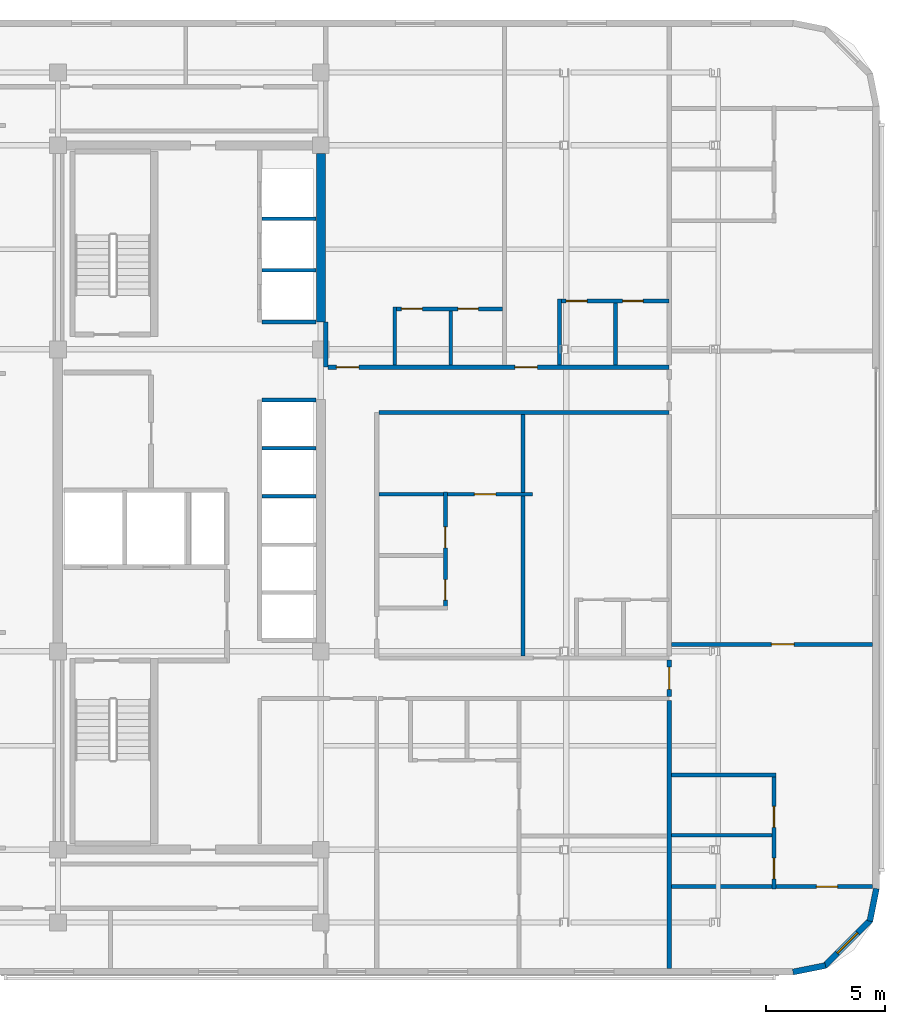
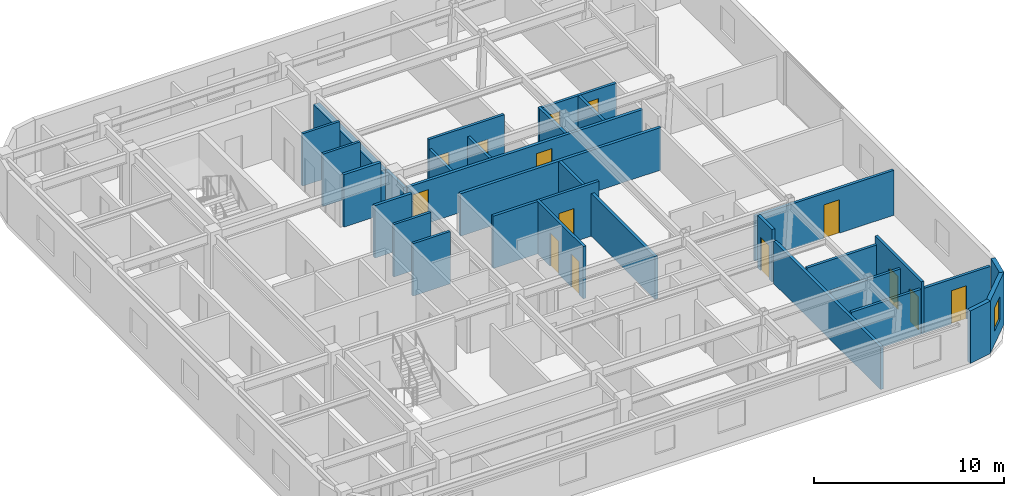
# One storey, part 6 of 11: 29 walls, 14 doors, 1 window, 15 openings.
"""IFC4 building model written with IfcOpenShell, lengths in metres."""

from ifc_helpers import new_model, si_unit, direction, frame, frame_2d, origin, place, context, subcontext, project, spatial, rectangle, extrude, material, layer, layer_set, type_object, element, fill, save


model = new_model("IFC4")

# Units and contexts
model_context = context("Model", 3, precision=1e-05, world=origin(), true_north=direction((0.0, 1.0)))
body_context = subcontext(model_context, "Body", "Model", "MODEL_VIEW")
ifc_project = project(units=[si_unit("LENGTHUNIT", "METRE"), si_unit("AREAUNIT", "SQUARE_METRE"), si_unit("VOLUMEUNIT", "CUBIC_METRE"), si_unit("PLANEANGLEUNIT", "RADIAN"), si_unit("MASSUNIT", "GRAM", prefix="KILO")], contexts=[model_context])

# Site, building, storey
site_placement = place(None, origin())
site = spatial("IfcSite", under=ifc_project, at=site_placement, CompositionType="ELEMENT")
building_placement = place(site_placement, origin())
building = spatial("IfcBuilding", under=site, at=building_placement, Name="Ochreholt Gables", CompositionType="ELEMENT")
storey_placement = place(building_placement, frame((0.0, 0.0, 155.39990234375)))
storey = spatial("IfcBuildingStorey", under=building, at=storey_placement, Name="L40", CompositionType="ELEMENT", Elevation=155.39990234375)

# Walls
ifc_material_1 = material(Name="Concrete 50 MPa", Category="concrete")
ifc_layer_1 = layer(ifc_material_1, 0.3798828125, Name="Concrete 50 MPa")
ifc_layer_set_1 = layer_set([ifc_layer_1], Name="Concrete 50 MPa")
wall_type_1 = type_object("IfcWallType", Name="WALL-CSW-380", PredefinedType="SHEAR", material=ifc_layer_set_1)
wall_1_placement = place(storey_placement, frame((35.2099609375, 31.35009765625, 0.0), z_axis=(0.0, 0.0, 1.0), x_axis=(0.0, 1.0, 0.0)))
element("IfcWall", 1, at=wall_1_placement, inside=storey, type_object=wall_type_1, Name="L40 Core North-East Shear Wall", PredefinedType="SHEAR", context=body_context, shape_type="SweptSolid", body=[
    extrude(rectangle(XDim=7.0498046875, YDim=0.3798828125, at=frame_2d((3.52490234375, 0.0))), origin(), (0.0, 0.0, 1.0), 2.748046875),
])
ifc_material_2 = material(Name="Precast concrete 40 MPa", Category="concrete")
ifc_layer_2 = layer(ifc_material_2, 0.25, Name="Precast concrete 40 MPa")
ifc_layer_set_2 = layer_set([ifc_layer_2], Name="Precast concrete 40 MPa")
wall_type_2 = type_object("IfcWallType", Name="WALL-EXT-CNR", PredefinedType="SOLIDWALL", material=ifc_layer_set_2)
wall_2_placement = place(storey_placement, frame((54.9833984375, 4.124267578125, 0.0), z_axis=(0.0, 0.0, 1.0), x_axis=(0.980809899341, 0.19496651342, 0.0)))
element("IfcWall", 2, at=wall_2_placement, inside=storey, type_object=wall_type_2, Name="L40 Rounded Corner Wall SE-1", PredefinedType="SOLIDWALL", context=body_context, shape_type="SweptSolid", body=[
    extrude(rectangle(XDim=1.388671875, YDim=0.25, at=frame_2d((0.6943359375, 0.0))), origin(), (0.0, 0.0, 1.0), 3.360107421875),
])

# Wall, opening, window
wall_3_placement = place(storey_placement, frame((56.294921875, 4.367919921875, 0.0), z_axis=(0.0, 0.0, 1.0), x_axis=(0.707106781187, 0.707106781187, 0.0)))
wall_3 = element("IfcWall", 3, at=wall_3_placement, inside=storey, type_object=wall_type_2, Name="L40 Rounded Corner Wall SE-2", PredefinedType="SOLIDWALL", context=body_context, shape_type="SweptSolid", body=[
    extrude(rectangle(XDim=2.7392578125, YDim=0.25, at=frame_2d((1.36962890625, 0.0))), origin(), (0.0, 0.0, 1.0), 3.360107421875),
])
opening_1_placement = place(wall_3_placement, frame((0.769775390625, 0.0, 0.85009765625)))
opening_1 = element("IfcOpeningElement", 4, at=opening_1_placement, cuts=wall_3, Name="Opening WN-3", PredefinedType="OPENING", context=body_context, shape_type="SweptSolid", body=[
    extrude(rectangle(XDim=1.199951171875, YDim=1.5, at=frame_2d((0.60009765625, 0.75))), frame((0.0, 0.135009765625, 0.0), z_axis=(0.0, -1.0, 0.0), x_axis=(1.0, 0.0, 0.0)), (0.0, 0.0, 1.0), 0.27001953125),
])
ifc_material_3 = material(Name="Triple-Glazed Thermally Broken Aluminium Window", Category="aluminium")
window_type = type_object("IfcWindowType", Name="WIN-RES-1200", PartitioningType="SINGLE_PANEL", PredefinedType="WINDOW", material=ifc_material_3)
window_placement = place(opening_1_placement, origin())
window = element("IfcWindow", 5, at=window_placement, inside=storey, type_object=window_type, Name="L40 Corner Bedroom Window SE", OverallHeight=1.5, OverallWidth=1.199951171875, PartitioningType="SINGLE_PANEL", PredefinedType="WINDOW", context=body_context, shape_type="SweptSolid", body=[
    extrude(rectangle(XDim=1.199951171875, YDim=1.5, at=frame_2d((0.60009765625, 0.75))), frame((0.0, 0.030029296875, 0.0), z_axis=(0.0, -1.0, 0.0), x_axis=(1.0, 0.0, 0.0)), (0.0, 0.0, 1.0), 0.06005859375),
])
fill(opening_1, window)

# Walls
wall_4_placement = place(storey_placement, frame((58.205078125, 6.25439453125, 0.0), z_axis=(0.0, 0.0, 1.0), x_axis=(0.19496651342, 0.980809899341, 0.0)))
element("IfcWall", 6, at=wall_4_placement, inside=storey, type_object=wall_type_2, Name="L40 Rounded Corner Wall SE-3", PredefinedType="SOLIDWALL", context=body_context, shape_type="SweptSolid", body=[
    extrude(rectangle(XDim=1.388671875, YDim=0.25, at=frame_2d((0.6943359375, 0.0))), origin(), (0.0, 0.0, 1.0), 3.360107421875),
])
ifc_material_4 = material(Name="Fire-Rated Gypsum Acoustic Partition", Category="gypsum")
ifc_layer_3 = layer(ifc_material_4, 0.179931640625, Name="Fire-Rated Gypsum Acoustic Partition")
ifc_layer_set_3 = layer_set([ifc_layer_3], Name="Fire-Rated Gypsum Acoustic Partition")
wall_type_3 = type_object("IfcWallType", Name="WALL-INT-CR180", PredefinedType="STANDARD", material=ifc_layer_set_3)
wall_5_placement = place(storey_placement, frame((37.639892578125, 27.56005859375, 0.0), z_axis=(0.0, 0.0, 1.0), x_axis=(1.0, 0.0, 0.0)))
element("IfcWall", 7, at=wall_5_placement, inside=storey, type_object=wall_type_3, Name="L40 Interior Wall WI-C2SN1-L40", PredefinedType="STANDARD", context=body_context, shape_type="SweptSolid", body=[
    extrude(rectangle(XDim=12.16015625, YDim=0.179931640625, at=frame_2d((6.080078125, 0.0))), origin(), (0.0, 0.0, 1.0), 2.72998046875),
])
wall_6_placement = place(storey_placement, frame((35.419921875, 29.4599609375, 0.0), z_axis=(0.0, 0.0, 1.0), x_axis=(0.0, 1.0, 0.0)))
element("IfcWall", 8, at=wall_6_placement, inside=storey, type_object=wall_type_3, Name="L40 Interior Wall WI-C2NCL-L40", PredefinedType="STANDARD", context=body_context, shape_type="SweptSolid", body=[
    extrude(rectangle(XDim=1.89013671875, YDim=0.179931640625, at=frame_2d((0.945068359375, 0.0))), origin(), (0.0, 0.0, 1.0), 2.72998046875),
])

# Wall, openings, doors
wall_7_placement = place(storey_placement, frame((35.510009765625, 29.4599609375, 0.0), z_axis=(0.0, 0.0, 1.0), x_axis=(1.0, 0.0, 0.0)))
wall_7 = element("IfcWall", 9, at=wall_7_placement, inside=storey, type_object=wall_type_3, Name="L40 Interior Wall WI-C2SN2-L40", PredefinedType="STANDARD", context=body_context, shape_type="SweptSolid", body=[
    extrude(rectangle(XDim=14.2900390625, YDim=0.179931640625, at=frame_2d((7.14501953125, 0.0))), origin(), (0.0, 0.0, 1.0), 2.72998046875),
])
opening_2_placement = place(wall_7_placement, frame((0.35009765625, 0.0, 0.0)))
opening_2 = element("IfcOpeningElement", 10, at=opening_2_placement, cuts=wall_7, Name="Opening D-UN2", PredefinedType="OPENING", context=body_context, shape_type="SweptSolid", body=[
    extrude(rectangle(XDim=0.93994140625, YDim=2.14990234375, at=frame_2d((0.469970703125, 1.074951171875))), frame((0.0, 0.099853515625, 0.0), z_axis=(0.0, -1.0, 0.0), x_axis=(1.0, 0.0, 0.0)), (0.0, 0.0, 1.0), 0.199951171875),
])
opening_3_placement = place(wall_7_placement, frame((7.82763671875, 0.0, 0.0)))
opening_3 = element("IfcOpeningElement", 11, at=opening_3_placement, cuts=wall_7, Name="Opening D-UN2", PredefinedType="OPENING", context=body_context, shape_type="SweptSolid", body=[
    extrude(rectangle(XDim=0.93994140625, YDim=2.14990234375, at=frame_2d((0.469970703125, 1.074951171875))), frame((0.0, 0.099853515625, 0.0), z_axis=(0.0, -1.0, 0.0), x_axis=(1.0, 0.0, 0.0)), (0.0, 0.0, 1.0), 0.199951171875),
])
ifc_material_5 = material(Name="Engineered Oak Timber", Category="wood")
door_type_1 = type_object("IfcDoorType", Name="DR-INT-UNT940", OperationType="NOTDEFINED", PredefinedType="DOOR", material=ifc_material_5)
door_1_placement = place(opening_2_placement, origin())
door_1 = element("IfcDoor", 12, at=door_1_placement, inside=storey, type_object=door_type_1, Name="L40 Door D-U-L40N1-ENT", OperationType="SINGLE_SWING_LEFT", OverallHeight=2.14990234375, OverallWidth=0.93994140625, PredefinedType="DOOR", context=body_context, shape_type="SweptSolid", body=[
    extrude(rectangle(XDim=0.93994140625, YDim=2.14990234375, at=frame_2d((0.469970703125, 1.074951171875))), frame((0.0, 0.02490234375, 0.0), z_axis=(0.0, -1.0, 0.0), x_axis=(1.0, 0.0, 0.0)), (0.0, 0.0, 1.0), 0.050048828125),
])
fill(opening_2, door_1)
door_2_placement = place(opening_3_placement, origin())
door_2 = element("IfcDoor", 13, at=door_2_placement, inside=storey, type_object=door_type_1, Name="L40 Door D-U-L40N2-ENT", OperationType="SINGLE_SWING_RIGHT", OverallHeight=2.14990234375, OverallWidth=0.93994140625, PredefinedType="DOOR", context=body_context, shape_type="SweptSolid", body=[
    extrude(rectangle(XDim=0.93994140625, YDim=2.14990234375, at=frame_2d((0.469970703125, 1.074951171875))), frame((0.0, 0.02490234375, 0.0), z_axis=(0.0, -1.0, 0.0), x_axis=(1.0, 0.0, 0.0)), (0.0, 0.0, 1.0), 0.050048828125),
])
fill(opening_3, door_2)

# Wall, opening, door
wall_8_placement = place(storey_placement, frame((49.800048828125, 15.669921875, 0.0), z_axis=(0.0, 0.0, 1.0), x_axis=(0.0, 1.0, 0.0)))
wall_8 = element("IfcWall", 14, at=wall_8_placement, inside=storey, type_object=wall_type_3, Name="L40 Interior Wall WI-C2SSE-L40", PredefinedType="STANDARD", context=body_context, shape_type="SweptSolid", body=[
    extrude(rectangle(XDim=1.52001953125, YDim=0.179931640625, at=frame_2d((0.760009765625, 0.0))), origin(), (0.0, 0.0, 1.0), 3.360107421875),
])
opening_4_placement = place(wall_8_placement, frame((0.2900390625, 0.0, 0.0)))
opening_4 = element("IfcOpeningElement", 15, at=opening_4_placement, cuts=wall_8, Name="Opening D-UN2", PredefinedType="OPENING", context=body_context, shape_type="SweptSolid", body=[
    extrude(rectangle(XDim=0.93994140625, YDim=2.14990234375, at=frame_2d((0.469970703125, 1.074951171875))), frame((0.0, 0.099853515625, 0.0), z_axis=(0.0, -1.0, 0.0), x_axis=(1.0, 0.0, 0.0)), (0.0, 0.0, 1.0), 0.199951171875),
])
door_3_placement = place(opening_4_placement, origin())
door_3 = element("IfcDoor", 16, at=door_3_placement, inside=storey, type_object=door_type_1, Name="L40 Door D-U-L40FES-ENT", OperationType="SINGLE_SWING_LEFT", OverallHeight=2.14990234375, OverallWidth=0.93994140625, PredefinedType="DOOR", context=body_context, shape_type="SweptSolid", body=[
    extrude(rectangle(XDim=0.93994140625, YDim=2.14990234375, at=frame_2d((0.469970703125, 1.074951171875))), frame((0.0, 0.02490234375, 0.0), z_axis=(0.0, -1.0, 0.0), x_axis=(1.0, 0.0, 0.0)), (0.0, 0.0, 1.0), 0.050048828125),
])
fill(opening_4, door_3)

# Walls
ifc_material_6 = material(Name="Double-Stud Acoustic Demising Wall", Category="gypsum")
ifc_layer_4 = layer(ifc_material_6, 0.179931640625, Name="Double-Stud Acoustic Demising Wall")
ifc_layer_set_4 = layer_set([ifc_layer_4], Name="Double-Stud Acoustic Demising Wall")
wall_type_4 = type_object("IfcWallType", Name="WALL-INT-DM180", PredefinedType="PARTITIONING", material=ifc_layer_set_4)
wall_9_placement = place(storey_placement, frame((43.675048828125, 17.3701171875, 0.0), z_axis=(0.0, 0.0, 1.0), x_axis=(0.0, 1.0, 0.0)))
element("IfcWall", 17, at=wall_9_placement, inside=storey, type_object=wall_type_4, Name="L40 Interior Wall WI-C2UDM-L40", PredefinedType="PARTITIONING", context=body_context, shape_type="SweptSolid", body=[
    extrude(rectangle(XDim=10.099853515625, YDim=0.179931640625, at=frame_2d((5.0498046875, 0.0))), origin(), (0.0, 0.0, 1.0), 2.72998046875),
])
wall_10_placement = place(storey_placement, frame((49.800048828125, 4.280029296875, 0.0), z_axis=(0.0, 0.0, 1.0), x_axis=(0.0, 1.0, 0.0)))
element("IfcWall", 18, at=wall_10_placement, inside=storey, type_object=wall_type_4, Name="L40 Interior Wall WI-C2FEW1-L40", PredefinedType="PARTITIONING", context=body_context, shape_type="SweptSolid", body=[
    extrude(rectangle(XDim=11.2099609375, YDim=0.179931640625, at=frame_2d((5.60498046875, 0.0))), origin(), (0.0, 0.0, 1.0), 2.72998046875),
])

# Wall, openings, doors
ifc_material_7 = material(Name="Moisture-Resistant Plumbing Chase Wall", Category="gypsum")
ifc_layer_5 = layer(ifc_material_7, 0.159912109375, Name="Moisture-Resistant Plumbing Chase Wall")
ifc_layer_set_5 = layer_set([ifc_layer_5], Name="Moisture-Resistant Plumbing Chase Wall")
wall_type_5 = type_object("IfcWallType", Name="WALL-INT-PL160", PredefinedType="PLUMBINGWALL", material=ifc_layer_set_5)
wall_11_placement = place(storey_placement, frame((38.2275390625, 31.89990234375, 0.0), z_axis=(0.0, 0.0, 1.0), x_axis=(1.0, 0.0, 0.0)))
wall_11 = element("IfcWall", 19, at=wall_11_placement, inside=storey, type_object=wall_type_5, Name="L40 Interior Wall WU-L40N1-WY", PredefinedType="PLUMBINGWALL", context=body_context, shape_type="SweptSolid", body=[
    extrude(rectangle(XDim=4.580078125, YDim=0.159912109375, at=frame_2d((2.2900390625, 0.0))), origin(), (0.0, 0.0, 1.0), 3.360107421875),
])
opening_5_placement = place(wall_11_placement, frame((0.35009765625, 0.0, 0.0)))
opening_5 = element("IfcOpeningElement", 20, at=opening_5_placement, cuts=wall_11, Name="Opening D-GN2", PredefinedType="OPENING", context=body_context, shape_type="SweptSolid", body=[
    extrude(rectangle(XDim=0.8798828125, YDim=2.1201171875, at=frame_2d((0.43994140625, 1.06005859375))), frame((0.0, 0.08984375, 0.0), z_axis=(0.0, -1.0, 0.0), x_axis=(1.0, 0.0, 0.0)), (0.0, 0.0, 1.0), 0.179931640625),
])
opening_6_placement = place(wall_11_placement, frame((2.719970703125, 0.0, 0.0)))
opening_6 = element("IfcOpeningElement", 21, at=opening_6_placement, cuts=wall_11, Name="Opening D-BT1", PredefinedType="OPENING", context=body_context, shape_type="SweptSolid", body=[
    extrude(rectangle(XDim=0.860107421875, YDim=2.1201171875, at=frame_2d((0.43017578125, 1.06005859375))), frame((0.0, 0.08984375, 0.0), z_axis=(0.0, -1.0, 0.0), x_axis=(1.0, 0.0, 0.0)), (0.0, 0.0, 1.0), 0.179931640625),
])
door_type_2 = type_object("IfcDoorType", Name="DR-INT-BTH860", OperationType="NOTDEFINED", PredefinedType="DOOR", material=ifc_material_5)
door_4_placement = place(opening_6_placement, origin())
door_4 = element("IfcDoor", 22, at=door_4_placement, inside=storey, type_object=door_type_2, Name="L40 Door D-U-L40N1-BTH", OperationType="SINGLE_SWING_LEFT", OverallHeight=2.1201171875, OverallWidth=0.860107421875, PredefinedType="DOOR", context=body_context, shape_type="SweptSolid", body=[
    extrude(rectangle(XDim=0.860107421875, YDim=2.1201171875, at=frame_2d((0.43017578125, 1.06005859375))), frame((0.0, 0.02490234375, 0.0), z_axis=(0.0, -1.0, 0.0), x_axis=(1.0, 0.0, 0.0)), (0.0, 0.0, 1.0), 0.050048828125),
])
fill(opening_6, door_4)
door_type_3 = type_object("IfcDoorType", Name="DR-INT-GEN880", OperationType="NOTDEFINED", PredefinedType="DOOR", material=ifc_material_5)
door_5_placement = place(opening_5_placement, origin())
door_5 = element("IfcDoor", 23, at=door_5_placement, inside=storey, type_object=door_type_3, Name="L40 Door D-U-L40N1-KIT", OperationType="SINGLE_SWING_RIGHT", OverallHeight=2.1201171875, OverallWidth=0.8798828125, PredefinedType="DOOR", context=body_context, shape_type="SweptSolid", body=[
    extrude(rectangle(XDim=0.8798828125, YDim=2.1201171875, at=frame_2d((0.43994140625, 1.06005859375))), frame((0.0, 0.02490234375, 0.0), z_axis=(0.0, -1.0, 0.0), x_axis=(1.0, 0.0, 0.0)), (0.0, 0.0, 1.0), 0.050048828125),
])
fill(opening_5, door_5)

# Walls
wall_12_placement = place(storey_placement, frame((38.3076171875, 29.550048828125, 0.0), z_axis=(0.0, 0.0, 1.0), x_axis=(0.0, 1.0, 0.0)))
element("IfcWall", 24, at=wall_12_placement, inside=storey, type_object=wall_type_5, Name="L40 Interior Wall WU-L40N1-FY", PredefinedType="PLUMBINGWALL", context=body_context, shape_type="SweptSolid", body=[
    extrude(rectangle(XDim=2.429931640625, YDim=0.159912109375, at=frame_2d((1.21484375, 0.0))), origin(), (0.0, 0.0, 1.0), 2.72998046875),
])
wall_13_placement = place(storey_placement, frame((40.647705078125, 29.550048828125, 0.0), z_axis=(0.0, 0.0, 1.0), x_axis=(0.0, 1.0, 0.0)))
element("IfcWall", 25, at=wall_13_placement, inside=storey, type_object=wall_type_5, Name="L40 Interior Wall WU-L40N1-WK", PredefinedType="PLUMBINGWALL", context=body_context, shape_type="SweptSolid", body=[
    extrude(rectangle(XDim=2.27001953125, YDim=0.159912109375, at=frame_2d((1.135009765625, 0.0))), origin(), (0.0, 0.0, 1.0), 2.72998046875),
])

# Wall, openings, doors
wall_14_placement = place(storey_placement, frame((45.1298828125, 32.22998046875, 0.0), z_axis=(0.0, 0.0, 1.0), x_axis=(1.0, 0.0, 0.0)))
wall_14 = element("IfcWall", 26, at=wall_14_placement, inside=storey, type_object=wall_type_5, Name="L40 Interior Wall WU-L40N2-WY", PredefinedType="PLUMBINGWALL", context=body_context, shape_type="SweptSolid", body=[
    extrude(rectangle(XDim=4.670166015625, YDim=0.159912109375, at=frame_2d((2.3349609375, 0.0))), origin(), (0.0, 0.0, 1.0), 2.72998046875),
])
opening_7_placement = place(wall_14_placement, frame((0.35009765625, 0.0, 0.0)))
opening_7 = element("IfcOpeningElement", 27, at=opening_7_placement, cuts=wall_14, Name="Opening D-GN2", PredefinedType="OPENING", context=body_context, shape_type="SweptSolid", body=[
    extrude(rectangle(XDim=0.8798828125, YDim=2.1201171875, at=frame_2d((0.43994140625, 1.06005859375))), frame((0.0, 0.08984375, 0.0), z_axis=(0.0, -1.0, 0.0), x_axis=(1.0, 0.0, 0.0)), (0.0, 0.0, 1.0), 0.179931640625),
])
opening_8_placement = place(wall_14_placement, frame((2.719970703125, 0.0, 0.0)))
opening_8 = element("IfcOpeningElement", 28, at=opening_8_placement, cuts=wall_14, Name="Opening D-BT1", PredefinedType="OPENING", context=body_context, shape_type="SweptSolid", body=[
    extrude(rectangle(XDim=0.860107421875, YDim=2.1201171875, at=frame_2d((0.43017578125, 1.06005859375))), frame((0.0, 0.08984375, 0.0), z_axis=(0.0, -1.0, 0.0), x_axis=(1.0, 0.0, 0.0)), (0.0, 0.0, 1.0), 0.179931640625),
])
door_6_placement = place(opening_8_placement, origin())
door_6 = element("IfcDoor", 29, at=door_6_placement, inside=storey, type_object=door_type_2, Name="L40 Door D-U-L40N2-BTH", OperationType="SINGLE_SWING_RIGHT", OverallHeight=2.1201171875, OverallWidth=0.860107421875, PredefinedType="DOOR", context=body_context, shape_type="SweptSolid", body=[
    extrude(rectangle(XDim=0.860107421875, YDim=2.1201171875, at=frame_2d((0.43017578125, 1.06005859375))), frame((0.0, 0.02490234375, 0.0), z_axis=(0.0, -1.0, 0.0), x_axis=(1.0, 0.0, 0.0)), (0.0, 0.0, 1.0), 0.050048828125),
])
fill(opening_8, door_6)
door_7_placement = place(opening_7_placement, origin())
door_7 = element("IfcDoor", 30, at=door_7_placement, inside=storey, type_object=door_type_3, Name="L40 Door D-U-L40N2-KIT", OperationType="SINGLE_SWING_LEFT", OverallHeight=2.1201171875, OverallWidth=0.8798828125, PredefinedType="DOOR", context=body_context, shape_type="SweptSolid", body=[
    extrude(rectangle(XDim=0.8798828125, YDim=2.1201171875, at=frame_2d((0.43994140625, 1.06005859375))), frame((0.0, 0.02490234375, 0.0), z_axis=(0.0, -1.0, 0.0), x_axis=(1.0, 0.0, 0.0)), (0.0, 0.0, 1.0), 0.050048828125),
])
fill(opening_7, door_7)

# Walls
wall_15_placement = place(storey_placement, frame((45.2099609375, 29.550048828125, 0.0), z_axis=(0.0, 0.0, 1.0), x_axis=(0.0, 1.0, 0.0)))
element("IfcWall", 31, at=wall_15_placement, inside=storey, type_object=wall_type_5, Name="L40 Interior Wall WU-L40N2-FY", PredefinedType="PLUMBINGWALL", context=body_context, shape_type="SweptSolid", body=[
    extrude(rectangle(XDim=2.760009765625, YDim=0.159912109375, at=frame_2d((1.3798828125, 0.0))), origin(), (0.0, 0.0, 1.0), 2.72998046875),
])
wall_16_placement = place(storey_placement, frame((47.550048828125, 29.550048828125, 0.0), z_axis=(0.0, 0.0, 1.0), x_axis=(0.0, 1.0, 0.0)))
element("IfcWall", 32, at=wall_16_placement, inside=storey, type_object=wall_type_5, Name="L40 Interior Wall WU-L40N2-WK", PredefinedType="PLUMBINGWALL", context=body_context, shape_type="SweptSolid", body=[
    extrude(rectangle(XDim=2.599853515625, YDim=0.159912109375, at=frame_2d((1.2998046875, 0.0))), origin(), (0.0, 0.0, 1.0), 2.72998046875),
])

# Wall, openings, doors
wall_17_placement = place(storey_placement, frame((40.424072265625, 19.282958984375, 0.0), z_axis=(0.0, 0.0, 1.0), x_axis=(0.0, 1.0, 0.0)))
wall_17 = element("IfcWall", 33, at=wall_17_placement, inside=storey, type_object=wall_type_5, Name="L40 Interior Wall WU-L40M1-WX", PredefinedType="PLUMBINGWALL", context=body_context, shape_type="SweptSolid", body=[
    extrude(rectangle(XDim=4.944091796875, YDim=0.159912109375, at=frame_2d((2.47216796875, 0.0))), origin(), (0.0, 0.0, 1.0), 3.360107421875),
])
opening_9_placement = place(wall_17_placement, frame((0.419921875, 0.0, 0.0)))
opening_9 = element("IfcOpeningElement", 34, at=opening_9_placement, cuts=wall_17, Name="Opening D-BT1", PredefinedType="OPENING", context=body_context, shape_type="SweptSolid", body=[
    extrude(rectangle(XDim=0.860107421875, YDim=2.1201171875, at=frame_2d((0.43017578125, 1.06005859375))), frame((0.0, 0.08984375, 0.0), z_axis=(0.0, -1.0, 0.0), x_axis=(1.0, 0.0, 0.0)), (0.0, 0.0, 1.0), 0.179931640625),
])
opening_10_placement = place(wall_17_placement, frame((2.611328125, 0.0, 0.0)))
opening_10 = element("IfcOpeningElement", 35, at=opening_10_placement, cuts=wall_17, Name="Opening D-GN2", PredefinedType="OPENING", context=body_context, shape_type="SweptSolid", body=[
    extrude(rectangle(XDim=0.8798828125, YDim=2.1201171875, at=frame_2d((0.43994140625, 1.06005859375))), frame((0.0, 0.08984375, 0.0), z_axis=(0.0, -1.0, 0.0), x_axis=(1.0, 0.0, 0.0)), (0.0, 0.0, 1.0), 0.179931640625),
])
door_8_placement = place(opening_9_placement, origin())
door_8 = element("IfcDoor", 36, at=door_8_placement, inside=storey, type_object=door_type_2, Name="L40 Door D-U-L40M1-BTH", OperationType="SINGLE_SWING_RIGHT", OverallHeight=2.1201171875, OverallWidth=0.860107421875, PredefinedType="DOOR", context=body_context, shape_type="SweptSolid", body=[
    extrude(rectangle(XDim=0.860107421875, YDim=2.1201171875, at=frame_2d((0.43017578125, 1.06005859375))), frame((0.0, 0.02490234375, 0.0), z_axis=(0.0, -1.0, 0.0), x_axis=(1.0, 0.0, 0.0)), (0.0, 0.0, 1.0), 0.050048828125),
])
fill(opening_9, door_8)
door_9_placement = place(opening_10_placement, origin())
door_9 = element("IfcDoor", 37, at=door_9_placement, inside=storey, type_object=door_type_3, Name="L40 Door D-U-L40M1-KIT", OperationType="SINGLE_SWING_LEFT", OverallHeight=2.1201171875, OverallWidth=0.8798828125, PredefinedType="DOOR", context=body_context, shape_type="SweptSolid", body=[
    extrude(rectangle(XDim=0.8798828125, YDim=2.1201171875, at=frame_2d((0.43994140625, 1.06005859375))), frame((0.0, 0.02490234375, 0.0), z_axis=(0.0, -1.0, 0.0), x_axis=(1.0, 0.0, 0.0)), (0.0, 0.0, 1.0), 0.050048828125),
])
fill(opening_10, door_9)

# Wall
wall_18_placement = place(storey_placement, frame((49.889892578125, 12.37841796875, 0.0), z_axis=(0.0, 0.0, 1.0), x_axis=(1.0, 0.0, 0.0)))
element("IfcWall", 38, at=wall_18_placement, inside=storey, type_object=wall_type_5, Name="L40 Interior Wall WU-L40FES-FYN", PredefinedType="PLUMBINGWALL", context=body_context, shape_type="SweptSolid", body=[
    extrude(rectangle(XDim=4.380126953125, YDim=0.159912109375, at=frame_2d((2.18994140625, 0.0))), origin(), (0.0, 0.0, 1.0), 2.879150390625),
])

# Wall, openings, doors
wall_19_placement = place(storey_placement, frame((54.18994140625, 7.610107421875, 0.0), z_axis=(0.0, 0.0, 1.0), x_axis=(0.0, 1.0, 0.0)))
wall_19 = element("IfcWall", 39, at=wall_19_placement, inside=storey, type_object=wall_type_5, Name="L40 Interior Wall WU-L40FES-WX", PredefinedType="PLUMBINGWALL", context=body_context, shape_type="SweptSolid", body=[
    extrude(rectangle(XDim=4.8583984375, YDim=0.159912109375, at=frame_2d((2.42919921875, 0.0))), origin(), (0.0, 0.0, 1.0), 3.360107421875),
])
opening_11_placement = place(wall_19_placement, frame((0.419921875, 0.0, 0.0)))
opening_11 = element("IfcOpeningElement", 40, at=opening_11_placement, cuts=wall_19, Name="Opening D-BT1", PredefinedType="OPENING", context=body_context, shape_type="SweptSolid", body=[
    extrude(rectangle(XDim=0.860107421875, YDim=2.1201171875, at=frame_2d((0.43017578125, 1.06005859375))), frame((0.0, 0.08984375, 0.0), z_axis=(0.0, -1.0, 0.0), x_axis=(1.0, 0.0, 0.0)), (0.0, 0.0, 1.0), 0.179931640625),
])
opening_12_placement = place(wall_19_placement, frame((2.572021484375, 0.0, 0.0)))
opening_12 = element("IfcOpeningElement", 41, at=opening_12_placement, cuts=wall_19, Name="Opening D-GN2", PredefinedType="OPENING", context=body_context, shape_type="SweptSolid", body=[
    extrude(rectangle(XDim=0.8798828125, YDim=2.1201171875, at=frame_2d((0.43994140625, 1.06005859375))), frame((0.0, 0.08984375, 0.0), z_axis=(0.0, -1.0, 0.0), x_axis=(1.0, 0.0, 0.0)), (0.0, 0.0, 1.0), 0.179931640625),
])
door_10_placement = place(opening_11_placement, origin())
door_10 = element("IfcDoor", 42, at=door_10_placement, inside=storey, type_object=door_type_2, Name="L40 Door D-U-L40FES-BTH", OperationType="SINGLE_SWING_RIGHT", OverallHeight=2.1201171875, OverallWidth=0.860107421875, PredefinedType="DOOR", context=body_context, shape_type="SweptSolid", body=[
    extrude(rectangle(XDim=0.860107421875, YDim=2.1201171875, at=frame_2d((0.43017578125, 1.06005859375))), frame((0.0, 0.02490234375, 0.0), z_axis=(0.0, -1.0, 0.0), x_axis=(1.0, 0.0, 0.0)), (0.0, 0.0, 1.0), 0.050048828125),
])
fill(opening_11, door_10)
door_11_placement = place(opening_12_placement, origin())
door_11 = element("IfcDoor", 43, at=door_11_placement, inside=storey, type_object=door_type_3, Name="L40 Door D-U-L40FES-KIT", OperationType="SINGLE_SWING_LEFT", OverallHeight=2.1201171875, OverallWidth=0.8798828125, PredefinedType="DOOR", context=body_context, shape_type="SweptSolid", body=[
    extrude(rectangle(XDim=0.8798828125, YDim=2.1201171875, at=frame_2d((0.43994140625, 1.06005859375))), frame((0.0, 0.02490234375, 0.0), z_axis=(0.0, -1.0, 0.0), x_axis=(1.0, 0.0, 0.0)), (0.0, 0.0, 1.0), 0.050048828125),
])
fill(opening_12, door_11)

# Wall
wall_20_placement = place(storey_placement, frame((49.889892578125, 9.85205078125, 0.0), z_axis=(0.0, 0.0, 1.0), x_axis=(1.0, 0.0, 0.0)))
element("IfcWall", 44, at=wall_20_placement, inside=storey, type_object=wall_type_5, Name="L40 Interior Wall WU-L40FES-WK", PredefinedType="PLUMBINGWALL", context=body_context, shape_type="SweptSolid", body=[
    extrude(rectangle(XDim=4.22021484375, YDim=0.159912109375, at=frame_2d((2.110107421875, 0.0))), origin(), (0.0, 0.0, 1.0), 2.879150390625),
])

# Wall, opening, door
ifc_material_8 = material(Name="Gypsum Acoustic Stud Partition", Category="gypsum")
ifc_layer_6 = layer(ifc_material_8, 0.1650390625, Name="Gypsum Acoustic Stud Partition")
ifc_layer_set_6 = layer_set([ifc_layer_6], Name="Gypsum Acoustic Stud Partition")
wall_type_6 = type_object("IfcWallType", Name="WALL-INT-PT165", PredefinedType="PARTITIONING", material=ifc_layer_set_6)
wall_21_placement = place(storey_placement, frame((37.639892578125, 24.136962890625, 0.0), z_axis=(0.0, 0.0, 1.0), x_axis=(1.0, 0.0, 0.0)))
wall_21 = element("IfcWall", 45, at=wall_21_placement, inside=storey, type_object=wall_type_6, Name="L40 Interior Wall WU-L40M1-MN", PredefinedType="PARTITIONING", context=body_context, shape_type="SweptSolid", body=[
    extrude(rectangle(XDim=6.425048828125, YDim=0.1650390625, at=frame_2d((3.21240234375, 0.0))), origin(), (0.0, 0.0, 1.0), 3.360107421875),
])
opening_13_placement = place(wall_21_placement, frame((4.00439453125, 0.0, 0.0)))
opening_13 = element("IfcOpeningElement", 46, at=opening_13_placement, cuts=wall_21, Name="Opening D-BD1", PredefinedType="OPENING", context=body_context, shape_type="SweptSolid", body=[
    extrude(rectangle(XDim=0.89990234375, YDim=2.139892578125, at=frame_2d((0.449951171875, 1.06982421875))), frame((0.0, 0.092529296875, 0.0), z_axis=(0.0, -1.0, 0.0), x_axis=(1.0, 0.0, 0.0)), (0.0, 0.0, 1.0), 0.18505859375),
])
door_type_4 = type_object("IfcDoorType", Name="DR-INT-BED900", OperationType="NOTDEFINED", PredefinedType="DOOR", material=ifc_material_5)
door_12_placement = place(opening_13_placement, origin())
door_12 = element("IfcDoor", 47, at=door_12_placement, inside=storey, type_object=door_type_4, Name="L40 Door D-U-L40M1-BD1", OperationType="SINGLE_SWING_RIGHT", OverallHeight=2.139892578125, OverallWidth=0.89990234375, PredefinedType="DOOR", context=body_context, shape_type="SweptSolid", body=[
    extrude(rectangle(XDim=0.89990234375, YDim=2.139892578125, at=frame_2d((0.449951171875, 1.06982421875))), frame((0.0, 0.02490234375, 0.0), z_axis=(0.0, -1.0, 0.0), x_axis=(1.0, 0.0, 0.0)), (0.0, 0.0, 1.0), 0.050048828125),
])
fill(opening_13, door_12)

wall_22_placement = place(storey_placement, frame((49.889892578125, 7.699951171875, 0.0), z_axis=(0.0, 0.0, 1.0), x_axis=(1.0, 0.0, 0.0)))
wall_22 = element("IfcWall", 48, at=wall_22_placement, inside=storey, type_object=wall_type_6, Name="L40 Interior Wall WU-L40FES-MN", PredefinedType="PARTITIONING", context=body_context, shape_type="SweptSolid", body=[
    extrude(rectangle(XDim=8.43017578125, YDim=0.1650390625, at=frame_2d((4.215087890625, 0.0))), origin(), (0.0, 0.0, 1.0), 2.879150390625),
])
opening_14_placement = place(wall_22_placement, frame((6.070068359375, 0.0, 0.0)))
opening_14 = element("IfcOpeningElement", 49, at=opening_14_placement, cuts=wall_22, Name="Opening D-BD1", PredefinedType="OPENING", context=body_context, shape_type="SweptSolid", body=[
    extrude(rectangle(XDim=0.89990234375, YDim=2.139892578125, at=frame_2d((0.449951171875, 1.06982421875))), frame((0.0, 0.092529296875, 0.0), z_axis=(0.0, -1.0, 0.0), x_axis=(1.0, 0.0, 0.0)), (0.0, 0.0, 1.0), 0.18505859375),
])
door_13_placement = place(opening_14_placement, origin())
door_13 = element("IfcDoor", 50, at=door_13_placement, inside=storey, type_object=door_type_4, Name="L40 Door D-U-L40FES-BD1", OperationType="SINGLE_SWING_RIGHT", OverallHeight=2.139892578125, OverallWidth=0.89990234375, PredefinedType="DOOR", context=body_context, shape_type="SweptSolid", body=[
    extrude(rectangle(XDim=0.89990234375, YDim=2.139892578125, at=frame_2d((0.449951171875, 1.06982421875))), frame((0.0, 0.02490234375, 0.0), z_axis=(0.0, -1.0, 0.0), x_axis=(1.0, 0.0, 0.0)), (0.0, 0.0, 1.0), 0.050048828125),
])
fill(opening_14, door_13)

wall_23_placement = place(storey_placement, frame((49.889892578125, 17.8505859375, 0.0), z_axis=(0.0, 0.0, 1.0), x_axis=(1.0, 0.0, 0.0)))
wall_23 = element("IfcWall", 51, at=wall_23_placement, inside=storey, type_object=wall_type_6, Name="L40 Interior Wall WU-L40FES-DNW", PredefinedType="PARTITIONING", context=body_context, shape_type="SweptSolid", body=[
    extrude(rectangle(XDim=8.43017578125, YDim=0.1650390625, at=frame_2d((4.215087890625, 0.0))), origin(), (0.0, 0.0, 1.0), 2.879150390625),
])
opening_15_placement = place(wall_23_placement, frame((4.18994140625, 0.0, 0.0)))
opening_15 = element("IfcOpeningElement", 52, at=opening_15_placement, cuts=wall_23, Name="Opening D-GN1", PredefinedType="OPENING", context=body_context, shape_type="SweptSolid", body=[
    extrude(rectangle(XDim=0.949951171875, YDim=2.14990234375, at=frame_2d((0.47509765625, 1.074951171875))), frame((0.0, 0.092529296875, 0.0), z_axis=(0.0, -1.0, 0.0), x_axis=(1.0, 0.0, 0.0)), (0.0, 0.0, 1.0), 0.18505859375),
])
door_type_5 = type_object("IfcDoorType", Name="DR-INT-GEN950", OperationType="NOTDEFINED", PredefinedType="DOOR", material=ifc_material_5)
door_14_placement = place(opening_15_placement, origin())
door_14 = element("IfcDoor", 53, at=door_14_placement, inside=storey, type_object=door_type_5, Name="L40 Door D-U-L40FES-DIN", OperationType="SINGLE_SWING_RIGHT", OverallHeight=2.14990234375, OverallWidth=0.949951171875, PredefinedType="DOOR", context=body_context, shape_type="SweptSolid", body=[
    extrude(rectangle(XDim=0.949951171875, YDim=2.14990234375, at=frame_2d((0.47509765625, 1.074951171875))), frame((0.0, 0.02490234375, 0.0), z_axis=(0.0, -1.0, 0.0), x_axis=(1.0, 0.0, 0.0)), (0.0, 0.0, 1.0), 0.050048828125),
])
fill(opening_15, door_14)

# Walls
ifc_material_9 = material(Name="Gypsum Shaftliner and Steel Stud", Category="steel")
ifc_layer_7 = layer(ifc_material_9, 0.14990234375, Name="Gypsum Shaftliner and Steel Stud")
ifc_layer_set_7 = layer_set([ifc_layer_7], Name="Gypsum Shaftliner and Steel Stud")
wall_type_7 = type_object("IfcWallType", Name="WALL-INT-SH150", PredefinedType="STANDARD", material=ifc_layer_set_7)
for number, where, z_axis, x_axis, name in (
    (54, (32.739990234375, 24.050048828125, 0.0), (0.0, 0.0, 1.0), (1.0, 0.0, 0.0), "L40 Interior Wall WI-LFHE-DHE-L40"),
    (55, (32.739990234375, 26.070068359375, 0.0), (0.0, 0.0, 1.0), (1.0, 0.0, 0.0), "L40 Interior Wall WI-LFHE-DEX1-L40"),
    (56, (32.739990234375, 33.52001953125, 0.0), (0.0, 0.0, 1.0), (1.0, 0.0, 0.0), "L40 Interior Wall WI-LFM-D1-L40"),
    (57, (32.739990234375, 35.669921875, 0.0), (0.0, 0.0, 1.0), (1.0, 0.0, 0.0), "L40 Interior Wall WI-LFM-D2-L40"),
):
    element("IfcWall", number, at=place(storey_placement, frame(where, z_axis=z_axis, x_axis=x_axis)), inside=storey, type_object=wall_type_7, Name=name, PredefinedType="STANDARD", context=body_context, shape_type="SweptSolid", body=[
        extrude(rectangle(XDim=2.260009765625, YDim=0.14990234375, at=frame_2d((1.1298828125, 0.0))), origin(), (0.0, 0.0, 1.0), 3.360107421875),
    ])
ifc_layer_8 = layer(ifc_material_9, 0.179931640625, Name="Gypsum Shaftliner and Steel Stud")
ifc_layer_set_8 = layer_set([ifc_layer_8], Name="Gypsum Shaftliner and Steel Stud")
wall_type_8 = type_object("IfcWallType", Name="WALL-INT-SH180", PredefinedType="STANDARD", material=ifc_layer_set_8)
for number, where, z_axis, x_axis, name in (
    (58, (32.739990234375, 28.080078125, 0.0), (0.0, 0.0, 1.0), (1.0, 0.0, 0.0), "L40 Interior Wall WI-LFHE-N-L40"),
    (59, (32.739990234375, 31.35009765625, 0.0), (0.0, 0.0, 1.0), (1.0, 0.0, 0.0), "L40 Interior Wall WI-LFM-S-L40"),
):
    element("IfcWall", number, at=place(storey_placement, frame(where, z_axis=z_axis, x_axis=x_axis)), inside=storey, type_object=wall_type_8, Name=name, PredefinedType="STANDARD", context=body_context, shape_type="SweptSolid", body=[
        extrude(rectangle(XDim=2.260009765625, YDim=0.179931640625, at=frame_2d((1.1298828125, 0.0))), origin(), (0.0, 0.0, 1.0), 3.360107421875),
    ])

save(model, "model.ifc")
